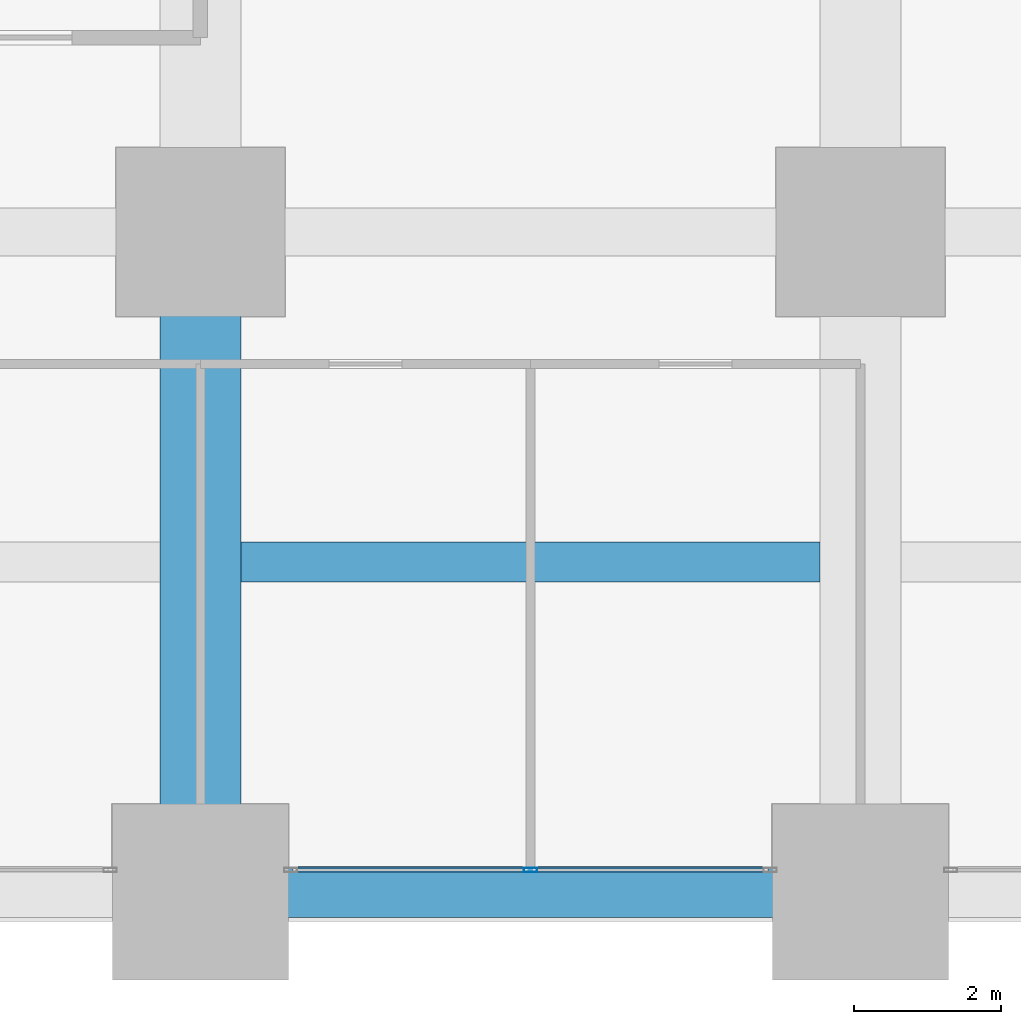
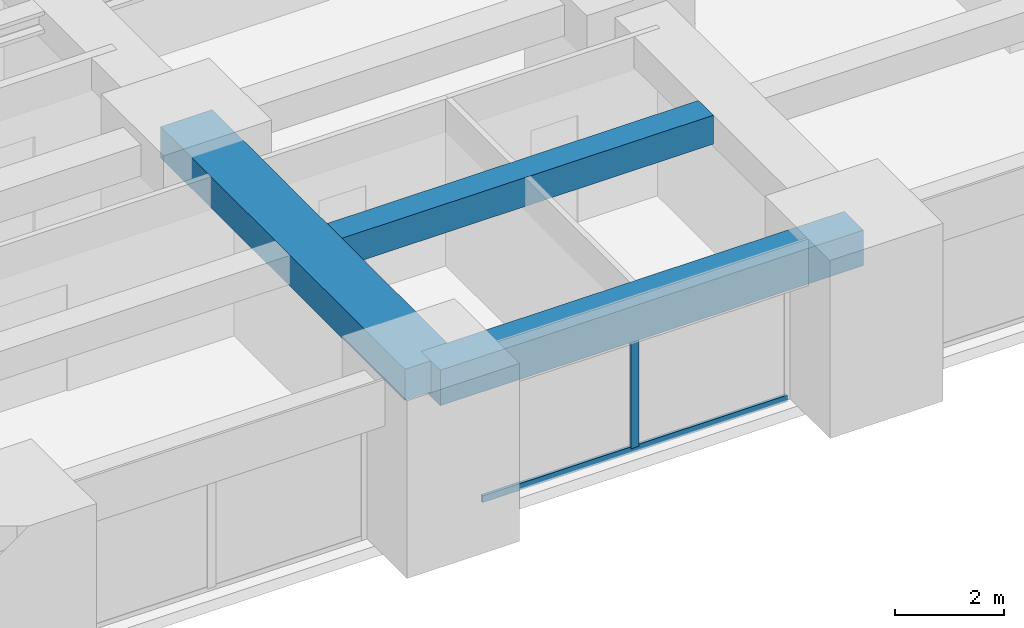
# One storey, part 7 of 44: 3 beams, 2 members, 1 element without a shape of its own.
"""IFC4 building model written with IfcOpenShell, lengths in metres."""

from ifc_helpers import new_model, si_unit, direction, frame, origin, origin_2d, place, context, subcontext, project, spatial, rectangle, hollow_rectangle, extrude, material, material_profile, profile_set, type_object, element, aggregate, save


model = new_model("IFC4")

# Units and contexts
model_context = context("Model", 3, precision=1e-05, world=origin(), true_north=direction((0.0, 1.0)))
body_context = subcontext(model_context, "Body", "Model", "MODEL_VIEW")
ifc_project = project(units=[si_unit("LENGTHUNIT", "METRE"), si_unit("AREAUNIT", "SQUARE_METRE"), si_unit("VOLUMEUNIT", "CUBIC_METRE"), si_unit("PLANEANGLEUNIT", "RADIAN"), si_unit("MASSUNIT", "GRAM", prefix="KILO")], contexts=[model_context])

# Site, building, storey
site_placement = place(None, origin())
site = spatial("IfcSite", under=ifc_project, at=site_placement, CompositionType="ELEMENT")
building_placement = place(site_placement, origin())
building = spatial("IfcBuilding", under=site, at=building_placement, Name="Zorevar Civic Tower", CompositionType="ELEMENT")
storey_placement = place(building_placement, frame((0.0, 0.0, 31.800048828125)))
storey = spatial("IfcBuildingStorey", under=building, at=storey_placement, Name="L07", CompositionType="ELEMENT", Elevation=31.800048828125)

# Beams
ifc_material_1 = material(Name="Concrete C50/60", Category="concrete")
ifc_material_profile_1 = material_profile(ifc_material_1, rectangle(XDim=1.10009765625, YDim=0.699951171875, at=origin_2d()), Name="RC 1100x700")
ifc_profile_set_1 = profile_set([ifc_material_profile_1], Name="Concrete C50/60")
beam_type_1 = type_object("IfcBeamType", Name="Beam RC 1100x700", PredefinedType="BEAM", material=ifc_profile_set_1)
beam_1_placement = place(storey_placement, frame((27.0, 0.0, 3.39990234375), z_axis=(0.0, 1.0, 0.0), x_axis=(-1.0, 0.0, 0.0)))
element("IfcBeam", 1, at=beam_1_placement, inside=storey, type_object=beam_type_1, Name="Girder L08", PredefinedType="BEAM", context=body_context, shape_type="SweptSolid", body=[
    extrude(rectangle(XDim=1.10009765625, YDim=0.699951171875, at=origin_2d()), origin(), (0.0, 0.0, 1.0), 9.0),
])
ifc_material_2 = material(Name="Concrete C50/60", Category="concrete")
ifc_material_profile_2 = material_profile(ifc_material_2, rectangle(XDim=0.550048828125, YDim=0.64990234375, at=origin_2d()), Name="RC 550x650")
ifc_profile_set_2 = profile_set([ifc_material_profile_2], Name="Concrete C50/60")
beam_type_2 = type_object("IfcBeamType", Name="Beam RC 550x650", PredefinedType="BEAM", material=ifc_profile_set_2)
beam_2_placement = place(storey_placement, frame((27.550048828125, 4.5, 3.425048828125), z_axis=(1.0, 0.0, 0.0), x_axis=(0.0, 1.0, 0.0)))
element("IfcBeam", 2, at=beam_2_placement, inside=storey, type_object=beam_type_2, Name="Secondary beam L08", PredefinedType="BEAM", context=body_context, shape_type="SweptSolid", body=[
    extrude(rectangle(XDim=0.550048828125, YDim=0.64990234375, at=origin_2d()), origin(), (0.0, 0.0, 1.0), 7.89990234375),
])

# Curtain wall, members
ifc_material_3 = material(Name="Dark grey solar-control glass in black aluminium frame", Category="aluminium")
curtain_wall_type = type_object("IfcCurtainWallType", Name="Curtain wall CW2 low zone", PredefinedType="NOTDEFINED", material=ifc_material_3)
curtain_wall_placement = place(storey_placement, origin())
curtain_wall = element("IfcCurtainWall", 3, at=curtain_wall_placement, inside=storey, type_object=curtain_wall_type, Name="CW2 L07", PredefinedType="NOTDEFINED")
ifc_material_4 = material(Name="Aluminium, black anodised", Category="aluminium")
ifc_material_profile_3 = material_profile(ifc_material_4, hollow_rectangle(XDim=0.06005859375, YDim=0.179931640625, WallThickness=0.00390625, at=origin_2d()), Name="AL 180x60x4")
ifc_profile_set_3 = profile_set([ifc_material_profile_3], Name="Aluminium, black anodised")
member_type_1 = type_object("IfcMemberType", Name="CW2 mullion AL 180x60x4", PredefinedType="MULLION", material=ifc_profile_set_3)
member_1_placement = place(storey_placement, frame((31.5, 0.300048828125, 0.06005859375), z_axis=(0.0, 0.0, 1.0), x_axis=(0.0, 1.0, 0.0)))
member_1 = element("IfcMember", 4, at=member_1_placement, type_object=member_type_1, Name="CW2 mullion 2", PredefinedType="MULLION", context=body_context, shape_type="SweptSolid", body=[
    extrude(hollow_rectangle(XDim=0.06005859375, YDim=0.179931640625, WallThickness=0.00390625, at=origin_2d()), origin(), (0.0, 0.0, 1.0), 2.889892578125),
])
ifc_material_5 = material(Name="Aluminium, black anodised", Category="aluminium")
ifc_material_profile_4 = material_profile(ifc_material_5, hollow_rectangle(XDim=0.06005859375, YDim=0.14990234375, WallThickness=0.00390625, at=origin_2d()), Name="AL 150x60x4")
ifc_profile_set_4 = profile_set([ifc_material_profile_4], Name="Aluminium, black anodised")
member_type_2 = type_object("IfcMemberType", Name="CW2 transom AL 150x60x4", PredefinedType="USERDEFINED", material=ifc_profile_set_4)
member_2_placement = place(storey_placement, frame((28.260009765625, 0.300048828125, 0.030029296875), z_axis=(1.0, 0.0, 0.0), x_axis=(0.0, 1.0, 0.0)))
member_2 = element("IfcMember", 5, at=member_2_placement, type_object=member_type_2, Name="CW2 sill transom", ObjectType="TRANSOM", PredefinedType="USERDEFINED", context=body_context, shape_type="SweptSolid", body=[
    extrude(hollow_rectangle(XDim=0.06005859375, YDim=0.14990234375, WallThickness=0.00390625, at=origin_2d()), origin(), (0.0, 0.0, 1.0), 6.47998046875),
])
aggregate(curtain_wall, [member_1, member_2])

# Beam
ifc_material_6 = material(Name="Concrete C50/60", Category="concrete")
ifc_material_profile_5 = material_profile(ifc_material_6, rectangle(XDim=0.699951171875, YDim=0.800048828125, at=origin_2d()), Name="RC 700x800")
ifc_profile_set_5 = profile_set([ifc_material_profile_5], Name="Concrete C50/60")
beam_type_3 = type_object("IfcBeamType", Name="Edge beam RC 700x800", PredefinedType="SPANDREL", material=ifc_profile_set_5)
beam_3_placement = place(storey_placement, frame((27.0, 0.0, 3.349853515625), z_axis=(1.0, 0.0, 0.0), x_axis=(0.0, 1.0, 0.0)))
element("IfcBeam", 6, at=beam_3_placement, inside=storey, type_object=beam_type_3, Name="Edge beam L08", PredefinedType="SPANDREL", context=body_context, shape_type="SweptSolid", body=[
    extrude(rectangle(XDim=0.699951171875, YDim=0.800048828125, at=origin_2d()), origin(), (0.0, 0.0, 1.0), 9.0),
])

save(model, "model.ifc")
